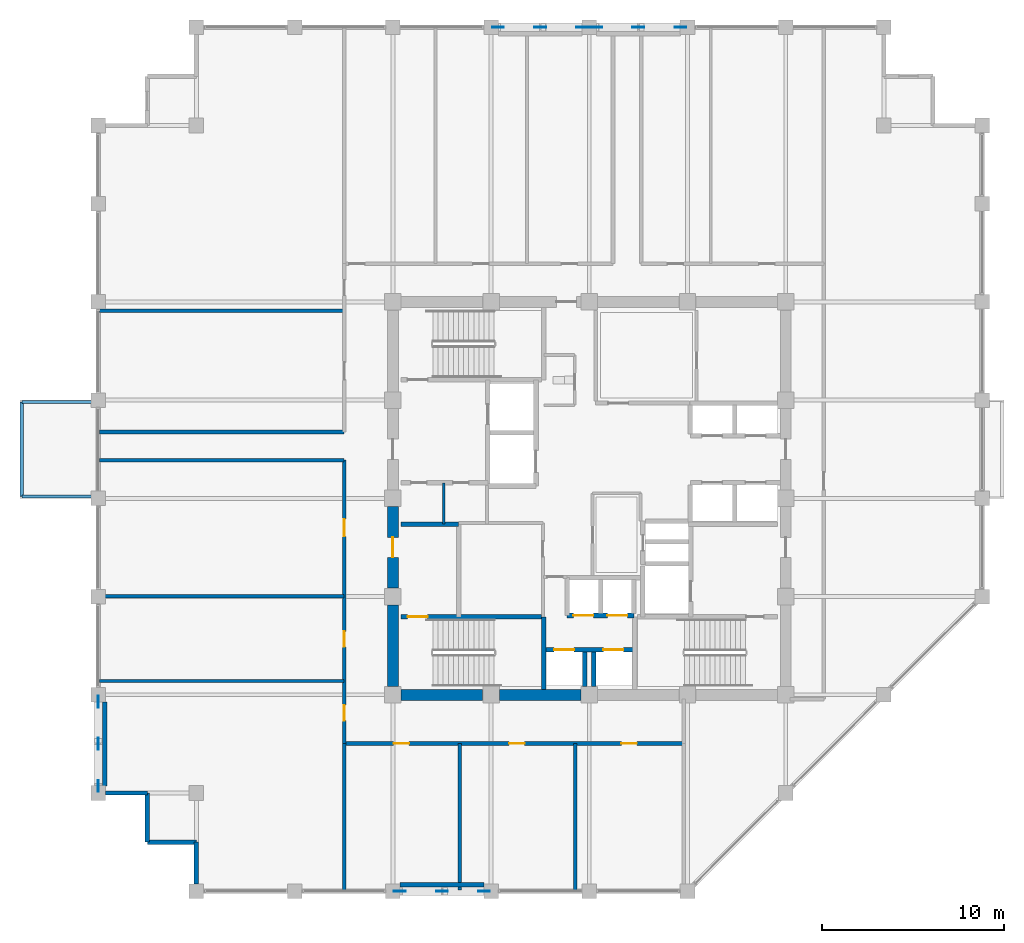
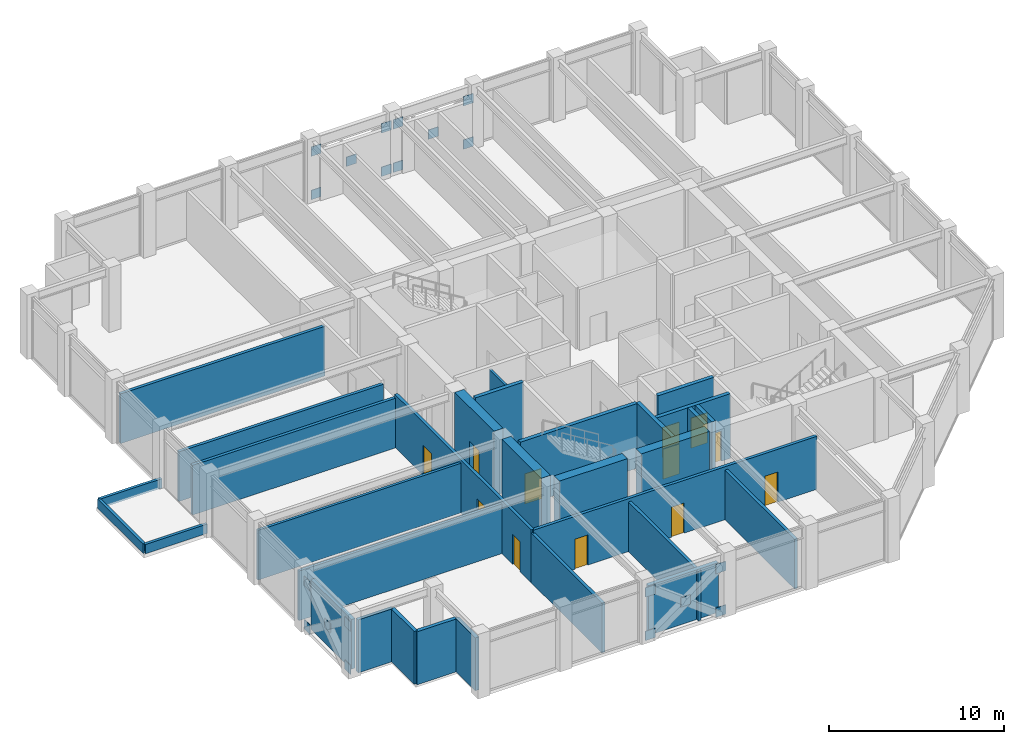
# One storey, part 23 of 28: 31 walls, 20 plates, 12 doors, 12 openings.
"""IFC4 building model written with IfcOpenShell, lengths in metres."""

from ifc_helpers import new_model, si_unit, direction, frame, frame_2d, origin, origin_2d, place, context, subcontext, project, spatial, rectangle, extrude, material, layer, layer_set, type_object, element, fill, save


model = new_model("IFC4")

# Units and contexts
model_context = context("Model", 3, precision=1e-05, world=origin(), true_north=direction((0.0, 1.0)))
body_context = subcontext(model_context, "Body", "Model", "MODEL_VIEW")
ifc_project = project(units=[si_unit("LENGTHUNIT", "METRE"), si_unit("AREAUNIT", "SQUARE_METRE"), si_unit("VOLUMEUNIT", "CUBIC_METRE"), si_unit("PLANEANGLEUNIT", "RADIAN"), si_unit("MASSUNIT", "GRAM", prefix="KILO")], contexts=[model_context])

# Site, building, storey
site_placement = place(None, origin())
site = spatial("IfcSite", under=ifc_project, at=site_placement, CompositionType="ELEMENT")
building_placement = place(site_placement, origin())
building = spatial("IfcBuilding", under=site, at=building_placement, Name="Surkhivell Harbour Commons", CompositionType="ELEMENT")
storey_placement = place(building_placement, frame((0.0, 0.0, 249.75)))
storey = spatial("IfcBuildingStorey", under=building, at=storey_placement, Name="L65", CompositionType="ELEMENT", Elevation=249.75)

# Plates
ifc_material_1 = material(Name="Steel S460", Category="steel")
ifc_layer_1 = layer(ifc_material_1, 0.044921875)
ifc_layer_set_1 = layer_set([ifc_layer_1], Name="Steel S460")
plate_type = type_object("IfcPlateType", Name="PLT-GUS-650", PredefinedType="USERDEFINED", material=ifc_layer_set_1)
for number, where, z_axis, x_axis, name in (
    (1, (-5.014892578125, 25.89990234375, -0.08935546875), (0.0, 0.0, 1.0), (1.0, 0.0, 0.0), "L65 Perimeter Mega-Brace MB- Corner Gusset N-1"),
    (2, (-0.385009765625, 25.89990234375, -0.08935546875), (0.0, 0.0, 1.0), (1.0, 0.0, 0.0), "L65 Perimeter Mega-Brace MB- Corner Gusset N-2"),
    (3, (-5.014892578125, 25.89990234375, 2.931640625), (0.0, 0.0, 1.0), (1.0, 0.0, 0.0), "L65 Perimeter Mega-Brace MB- Corner Gusset N-3"),
    (4, (-0.385009765625, 25.89990234375, 2.931640625), (0.0, 0.0, 1.0), (1.0, 0.0, 0.0), "L65 Perimeter Mega-Brace MB- Corner Gusset N-4"),
    (5, (-2.699951171875, 25.89990234375, 1.421142578125), (0.0, 0.0, 1.0), (1.0, 0.0, 0.0), "L65 Perimeter Mega-Brace MB- Central Crossing Gusset N"),
    (6, (0.385009765625, 25.89990234375, -0.08935546875), (0.0, 0.0, 1.0), (1.0, 0.0, 0.0), "L65 Perimeter Mega-Brace MB- Corner Gusset N2-1"),
    (7, (5.014892578125, 25.89990234375, -0.08935546875), (0.0, 0.0, 1.0), (1.0, 0.0, 0.0), "L65 Perimeter Mega-Brace MB- Corner Gusset N2-2"),
    (8, (0.385009765625, 25.89990234375, 2.931640625), (0.0, 0.0, 1.0), (1.0, 0.0, 0.0), "L65 Perimeter Mega-Brace MB- Corner Gusset N2-3"),
    (9, (5.014892578125, 25.89990234375, 2.931640625), (0.0, 0.0, 1.0), (1.0, 0.0, 0.0), "L65 Perimeter Mega-Brace MB- Corner Gusset N2-4"),
    (10, (2.699951171875, 25.89990234375, 1.421142578125), (0.0, 0.0, 1.0), (1.0, 0.0, 0.0), "L65 Perimeter Mega-Brace MB- Central Crossing Gusset N2"),
    (11, (-10.4150390625, -21.60009765625, -0.08935546875), (0.0, 0.0, 1.0), (1.0, 0.0, 0.0), "L65 Perimeter Mega-Brace MB- Corner Gusset S-1"),
    (12, (-5.784912109375, -21.60009765625, -0.08935546875), (0.0, 0.0, 1.0), (1.0, 0.0, 0.0), "L65 Perimeter Mega-Brace MB- Corner Gusset S-2"),
    (13, (-10.4150390625, -21.60009765625, 2.931640625), (0.0, 0.0, 1.0), (1.0, 0.0, 0.0), "L65 Perimeter Mega-Brace MB- Corner Gusset S-3"),
    (14, (-5.784912109375, -21.60009765625, 2.931640625), (0.0, 0.0, 1.0), (1.0, 0.0, 0.0), "L65 Perimeter Mega-Brace MB- Corner Gusset S-4"),
    (15, (-8.10009765625, -21.60009765625, 1.421142578125), (0.0, 0.0, 1.0), (1.0, 0.0, 0.0), "L65 Perimeter Mega-Brace MB- Central Crossing Gusset S"),
    (16, (-27.0, -15.81494140625, -0.08935546875), (0.0, 0.0, 1.0), (0.0, 1.0, 0.0), "L65 Perimeter Mega-Brace MB- Corner Gusset W-1"),
    (17, (-27.0, -11.18505859375, -0.08935546875), (0.0, 0.0, 1.0), (0.0, 1.0, 0.0), "L65 Perimeter Mega-Brace MB- Corner Gusset W-2"),
    (18, (-27.0, -15.81494140625, 2.931640625), (0.0, 0.0, 1.0), (0.0, 1.0, 0.0), "L65 Perimeter Mega-Brace MB- Corner Gusset W-3"),
    (19, (-27.0, -11.18505859375, 2.931640625), (0.0, 0.0, 1.0), (0.0, 1.0, 0.0), "L65 Perimeter Mega-Brace MB- Corner Gusset W-4"),
    (20, (-27.0, -13.5, 1.421142578125), (0.0, 0.0, 1.0), (0.0, 1.0, 0.0), "L65 Perimeter Mega-Brace MB- Central Crossing Gusset W"),
):
    element("IfcPlate", number, at=place(storey_placement, frame(where, z_axis=z_axis, x_axis=x_axis)), inside=storey, type_object=plate_type, Name=name, ObjectType="GUSSET_PLATE", PredefinedType="USERDEFINED", context=body_context, shape_type="SweptSolid", body=[
        extrude(rectangle(XDim=0.64990234375, YDim=0.044921875, at=origin_2d()), origin(), (0.0, 0.0, 1.0), 0.64990234375),
    ])

# Walls
ifc_material_2 = material(Name="Concrete C60/75", Category="concrete")
ifc_layer_2 = layer(ifc_material_2, 0.60009765625)
ifc_layer_set_2 = layer_set([ifc_layer_2], Name="Concrete C60/75")
wall_type_1 = type_object("IfcWallType", Name="WAL-CORE-600", PredefinedType="SHEAR", material=ifc_layer_set_2)
for number, where, z_axis, x_axis, name in (
    (21, (-10.340087890625, -10.800048828125, 0.0), (0.0, 0.0, 1.0), (1.0, 0.0, 0.0), "L65 Core Shear Wall South 1"),
    (22, (-10.800048828125, -10.340087890625, 0.0), (0.0, 0.0, 1.0), (0.0, 1.0, 0.0), "L65 Core Shear Wall West 1"),
    (23, (-4.93994140625, -10.800048828125, 0.0), (0.0, 0.0, 1.0), (1.0, 0.0, 0.0), "L65 Core Shear Wall South 2"),
):
    element("IfcWall", number, at=place(storey_placement, frame(where, z_axis=z_axis, x_axis=x_axis)), inside=storey, type_object=wall_type_1, Name=name, PredefinedType="SHEAR", context=body_context, shape_type="SweptSolid", body=[
        extrude(rectangle(XDim=4.47998046875, YDim=0.60009765625, at=frame_2d((2.239990234375, 0.0))), origin(), (0.0, 0.0, 1.0), 4.5),
    ])

# Wall, opening, door
wall_1_placement = place(storey_placement, frame((-10.800048828125, -4.93994140625, 0.0), z_axis=(0.0, 0.0, 1.0), x_axis=(0.0, 1.0, 0.0)))
wall_1 = element("IfcWall", 24, at=wall_1_placement, inside=storey, type_object=wall_type_1, Name="L65 Core Shear Wall West 2", PredefinedType="SHEAR", context=body_context, shape_type="SweptSolid", body=[
    extrude(rectangle(XDim=4.47998046875, YDim=0.60009765625, at=frame_2d((2.239990234375, 0.0))), origin(), (0.0, 0.0, 1.0), 4.5),
])
opening_1_placement = place(wall_1_placement, frame((1.68994140625, 0.0, 0.0)))
opening_1 = element("IfcOpeningElement", 25, at=opening_1_placement, cuts=wall_1, Name="Opening ID-2", PredefinedType="OPENING", context=body_context, shape_type="SweptSolid", body=[
    extrude(rectangle(XDim=1.10009765625, YDim=2.10009765625, at=frame_2d((0.550048828125, 1.050048828125))), frame((0.0, 0.31005859375, 0.0), z_axis=(0.0, -1.0, 0.0), x_axis=(1.0, 0.0, 0.0)), (0.0, 0.0, 1.0), 0.6201171875),
])
ifc_material_3 = material(Name="Hardwood-veneered fire-rated door leaf", Category="wood")
door_type_1 = type_object("IfcDoorType", Name="DOR-FD60-1100", OperationType="NOTDEFINED", PredefinedType="DOOR", material=ifc_material_3)
door_1_placement = place(opening_1_placement, origin())
door_1 = element("IfcDoor", 26, at=door_1_placement, inside=storey, type_object=door_type_1, Name="L65 Stair 3 Lobby Corridor Door", OperationType="SINGLE_SWING_LEFT", OverallHeight=2.10009765625, OverallWidth=1.10009765625, PredefinedType="DOOR", context=body_context, shape_type="SweptSolid", body=[
    extrude(rectangle(XDim=1.10009765625, YDim=2.10009765625, at=frame_2d((0.550048828125, 1.050048828125))), frame((0.0, 0.02490234375, 0.0), z_axis=(0.0, -1.0, 0.0), x_axis=(1.0, 0.0, 0.0)), (0.0, 0.0, 1.0), 0.050048828125),
])
fill(opening_1, door_1)

# Walls
ifc_material_4 = material(Name="Pale-metal insulated precast concrete C45/55", Category="concrete")
ifc_layer_3 = layer(ifc_material_4, 0.260009765625)
ifc_layer_set_3 = layer_set([ifc_layer_3], Name="Pale-metal insulated precast concrete C45/55")
wall_type_2 = type_object("IfcWallType", Name="WAL-EXT-MTL260", PredefinedType="STANDARD", material=ifc_layer_set_3)
for number, where, z_axis, x_axis, name in (
    (27, (-10.402099609375, -21.239990234375, 0.0), (0.0, 0.0, 1.0), (1.0, 0.0, 0.0), "L65 Braced-Bay Insulated Spandrel Backing S"),
    (28, (-26.639892578125, -11.197998046875, 0.0), (0.0, 0.0, 1.0), (0.0, -1.0, 0.0), "L65 Braced-Bay Insulated Spandrel Backing W"),
):
    element("IfcWall", number, at=place(storey_placement, frame(where, z_axis=z_axis, x_axis=x_axis)), inside=storey, type_object=wall_type_2, Name=name, PredefinedType="STANDARD", context=body_context, shape_type="SweptSolid", body=[
        extrude(rectangle(XDim=4.60400390625, YDim=0.260009765625, at=frame_2d((2.302001953125, 0.0))), origin(), (0.0, 0.0, 1.0), 3.4599609375),
    ])
ifc_material_5 = material(Name="Bronze-ochre cassette precast concrete C45/55", Category="concrete")
ifc_layer_4 = layer(ifc_material_5, 0.239990234375)
ifc_layer_set_4 = layer_set([ifc_layer_4], Name="Bronze-ochre cassette precast concrete C45/55")
wall_type_3 = type_object("IfcWallType", Name="WAL-EXT-OCH240", PredefinedType="STANDARD", material=ifc_layer_set_4)
wall_2_placement = place(storey_placement, frame((-26.60205078125, -16.199951171875, 0.0), z_axis=(0.0, 0.0, 1.0), x_axis=(1.0, 0.0, 0.0)))
element("IfcWall", 29, at=wall_2_placement, inside=storey, type_object=wall_type_3, Name="L65 Serrated Corner Facade Wall 13", PredefinedType="STANDARD", context=body_context, shape_type="SweptSolid", body=[
    extrude(rectangle(XDim=2.302001953125, YDim=0.239990234375, at=frame_2d((1.15087890625, 0.0))), origin(), (0.0, 0.0, 1.0), 3.68603515625),
])
for number, where, z_axis, x_axis, name in (
    (30, (-24.300048828125, -16.199951171875, 0.0), (0.0, 0.0, 1.0), (0.0, -1.0, 0.0), "L65 Serrated Corner Facade Wall 14"),
    (31, (-24.300048828125, -18.89990234375, 0.0), (0.0, 0.0, 1.0), (1.0, 0.0, 0.0), "L65 Serrated Corner Facade Wall 15"),
):
    element("IfcWall", number, at=place(storey_placement, frame(where, z_axis=z_axis, x_axis=x_axis)), inside=storey, type_object=wall_type_3, Name=name, PredefinedType="STANDARD", context=body_context, shape_type="SweptSolid", body=[
        extrude(rectangle(XDim=2.699951171875, YDim=0.239990234375, at=frame_2d((1.35009765625, 0.0))), origin(), (0.0, 0.0, 1.0), 3.68603515625),
    ])
wall_3_placement = place(storey_placement, frame((-21.60009765625, -18.89990234375, 0.0), z_axis=(0.0, 0.0, 1.0), x_axis=(0.0, -1.0, 0.0)))
element("IfcWall", 32, at=wall_3_placement, inside=storey, type_object=wall_type_3, Name="L65 Serrated Corner Facade Wall 16", PredefinedType="STANDARD", context=body_context, shape_type="SweptSolid", body=[
    extrude(rectangle(XDim=2.302001953125, YDim=0.239990234375, at=frame_2d((1.15087890625, 0.0))), origin(), (0.0, 0.0, 1.0), 3.68603515625),
])
ifc_material_6 = material(Name="Twin-stud acoustic fireboard partition", Category="other")
ifc_layer_5 = layer(ifc_material_6, 0.14990234375)
ifc_layer_set_5 = layer_set([ifc_layer_5], Name="Twin-stud acoustic fireboard partition")
wall_type_4 = type_object("IfcWallType", Name="WAL-INT-150", PredefinedType="PARTITIONING", material=ifc_layer_set_5)
wall_4_placement = place(storey_placement, frame((-8.0, -1.419921875, 0.0), z_axis=(0.0, 0.0, 1.0), x_axis=(0.0, 1.0, 0.0)))
element("IfcWall", 33, at=wall_4_placement, inside=storey, type_object=wall_type_4, Name="L65 West Core Cut D1", PredefinedType="PARTITIONING", context=body_context, shape_type="SweptSolid", body=[
    extrude(rectangle(XDim=2.27001953125, YDim=0.14990234375, at=frame_2d((1.135009765625, 0.0))), origin(), (0.0, 0.0, 1.0), 4.25),
])
ifc_material_7 = material(Name="High-density acoustic blockwork fire partition", Category="masonry")
ifc_layer_6 = layer(ifc_material_7, 0.175048828125)
ifc_layer_set_6 = layer_set([ifc_layer_6], Name="High-density acoustic blockwork fire partition")
wall_type_5 = type_object("IfcWallType", Name="WAL-INT-175", PredefinedType="PARTITIONING", material=ifc_layer_set_6)
for number, where, z_axis, x_axis, name in (
    (34, (-26.93994140625, -10.050048828125, 0.0), (0.0, 0.0, 1.0), (1.0, 0.0, 0.0), "L65 South-West Partition P1"),
    (35, (-26.93994140625, -5.3798828125, 0.0), (0.0, 0.0, 1.0), (1.0, 0.0, 0.0), "L65 South-West Partition P2"),
):
    element("IfcWall", number, at=place(storey_placement, frame(where, z_axis=z_axis, x_axis=x_axis)), inside=storey, type_object=wall_type_5, Name=name, PredefinedType="PARTITIONING", context=body_context, shape_type="SweptSolid", body=[
        extrude(rectangle(XDim=13.4599609375, YDim=0.175048828125, at=frame_2d((6.72998046875, 0.0))), origin(), (0.0, 0.0, 1.0), 3.4599609375),
    ])
ifc_material_8 = material(Name="Autoclaved aerated concrete blockwork and fire plaster", Category="masonry")
ifc_layer_7 = layer(ifc_material_8, 0.199951171875)
ifc_layer_set_7 = layer_set([ifc_layer_7], Name="Autoclaved aerated concrete blockwork and fire plaster")
wall_type_6 = type_object("IfcWallType", Name="WAL-INT-200", PredefinedType="PARTITIONING", material=ifc_layer_set_7)
wall_5_placement = place(storey_placement, frame((-13.47998046875, -21.5400390625, 0.0), z_axis=(0.0, 0.0, 1.0), x_axis=(0.0, 1.0, 0.0)))
element("IfcWall", 36, at=wall_5_placement, inside=storey, type_object=wall_type_6, Name="L65 South-West Corner Wall", PredefinedType="PARTITIONING", context=body_context, shape_type="SweptSolid", body=[
    extrude(rectangle(XDim=8.06005859375, YDim=0.199951171875, at=frame_2d((4.030029296875, 0.0))), origin(), (0.0, 0.0, 1.0), 3.4599609375),
])

# Wall, openings, doors
wall_6_placement = place(storey_placement, frame((-13.47998046875, -13.47998046875, 0.0), z_axis=(0.0, 0.0, 1.0), x_axis=(1.0, 0.0, 0.0)))
wall_6 = element("IfcWall", 37, at=wall_6_placement, inside=storey, type_object=wall_type_6, Name="L65 Corridor South Wall", PredefinedType="PARTITIONING", context=body_context, shape_type="SweptSolid", body=[
    extrude(rectangle(XDim=18.679931640625, YDim=0.199951171875, at=frame_2d((9.33984375, 0.0))), origin(), (0.0, 0.0, 1.0), 3.68603515625),
])
opening_2_placement = place(wall_6_placement, frame((2.72509765625, 0.0, 0.0)))
opening_2 = element("IfcOpeningElement", 38, at=opening_2_placement, cuts=wall_6, Name="Opening ID-6", PredefinedType="OPENING", context=body_context, shape_type="SweptSolid", body=[
    extrude(rectangle(XDim=0.85009765625, YDim=2.10009765625, at=frame_2d((0.425048828125, 1.050048828125))), frame((0.0, 0.10986328125, 0.0), z_axis=(0.0, -1.0, 0.0), x_axis=(1.0, 0.0, 0.0)), (0.0, 0.0, 1.0), 0.219970703125),
])
opening_3_placement = place(wall_6_placement, frame((9.074951171875, 0.0, 0.0)))
opening_3 = element("IfcOpeningElement", 39, at=opening_3_placement, cuts=wall_6, Name="Opening ID-6", PredefinedType="OPENING", context=body_context, shape_type="SweptSolid", body=[
    extrude(rectangle(XDim=0.85009765625, YDim=2.10009765625, at=frame_2d((0.425048828125, 1.050048828125))), frame((0.0, 0.10986328125, 0.0), z_axis=(0.0, -1.0, 0.0), x_axis=(1.0, 0.0, 0.0)), (0.0, 0.0, 1.0), 0.219970703125),
])
opening_4_placement = place(wall_6_placement, frame((15.239990234375, 0.0, 0.0)))
opening_4 = element("IfcOpeningElement", 40, at=opening_4_placement, cuts=wall_6, Name="Opening ID-6", PredefinedType="OPENING", context=body_context, shape_type="SweptSolid", body=[
    extrude(rectangle(XDim=0.85009765625, YDim=2.10009765625, at=frame_2d((0.425048828125, 1.050048828125))), frame((0.0, 0.10986328125, 0.0), z_axis=(0.0, -1.0, 0.0), x_axis=(1.0, 0.0, 0.0)), (0.0, 0.0, 1.0), 0.219970703125),
])
door_type_2 = type_object("IfcDoorType", Name="DOR-FD30-850", OperationType="NOTDEFINED", PredefinedType="DOOR", material=ifc_material_3)
door_2_placement = place(opening_2_placement, origin())
door_2 = element("IfcDoor", 41, at=door_2_placement, inside=storey, type_object=door_type_2, Name="L65 Academic Seminar Room 1 South Door", OperationType="SINGLE_SWING_RIGHT", OverallHeight=2.10009765625, OverallWidth=0.85009765625, PredefinedType="DOOR", context=body_context, shape_type="SweptSolid", body=[
    extrude(rectangle(XDim=0.85009765625, YDim=2.10009765625, at=frame_2d((0.425048828125, 1.050048828125))), frame((0.0, 0.02490234375, 0.0), z_axis=(0.0, -1.0, 0.0), x_axis=(1.0, 0.0, 0.0)), (0.0, 0.0, 1.0), 0.050048828125),
])
fill(opening_2, door_2)
door_3_placement = place(opening_3_placement, origin())
door_3 = element("IfcDoor", 42, at=door_3_placement, inside=storey, type_object=door_type_2, Name="L65 Academic Seminar Room 2 South Door", OperationType="SINGLE_SWING_LEFT", OverallHeight=2.10009765625, OverallWidth=0.85009765625, PredefinedType="DOOR", context=body_context, shape_type="SweptSolid", body=[
    extrude(rectangle(XDim=0.85009765625, YDim=2.10009765625, at=frame_2d((0.425048828125, 1.050048828125))), frame((0.0, 0.02490234375, 0.0), z_axis=(0.0, -1.0, 0.0), x_axis=(1.0, 0.0, 0.0)), (0.0, 0.0, 1.0), 0.050048828125),
])
fill(opening_3, door_3)
door_4_placement = place(opening_4_placement, origin())
door_4 = element("IfcDoor", 43, at=door_4_placement, inside=storey, type_object=door_type_2, Name="L65 Academic Seminar Room 3 South Door", OperationType="SINGLE_SWING_RIGHT", OverallHeight=2.10009765625, OverallWidth=0.85009765625, PredefinedType="DOOR", context=body_context, shape_type="SweptSolid", body=[
    extrude(rectangle(XDim=0.85009765625, YDim=2.10009765625, at=frame_2d((0.425048828125, 1.050048828125))), frame((0.0, 0.02490234375, 0.0), z_axis=(0.0, -1.0, 0.0), x_axis=(1.0, 0.0, 0.0)), (0.0, 0.0, 1.0), 0.050048828125),
])
fill(opening_4, door_4)

# Walls
for number, where, z_axis, x_axis, name in (
    (44, (-26.93994140625, 3.64990234375, 0.0), (0.0, 0.0, 1.0), (1.0, 0.0, 0.0), "L65 West Spur North Wall"),
    (45, (-26.93994140625, 2.10009765625, 0.0), (0.0, 0.0, 1.0), (1.0, 0.0, 0.0), "L65 West Spur South Wall"),
):
    element("IfcWall", number, at=place(storey_placement, frame(where, z_axis=z_axis, x_axis=x_axis)), inside=storey, type_object=wall_type_6, Name=name, PredefinedType="PARTITIONING", context=body_context, shape_type="SweptSolid", body=[
        extrude(rectangle(XDim=13.4599609375, YDim=0.199951171875, at=frame_2d((6.72998046875, 0.0))), origin(), (0.0, 0.0, 1.0), 3.4599609375),
    ])

# Wall, openings, doors
wall_7_placement = place(storey_placement, frame((-13.47998046875, -13.47998046875, 0.0), z_axis=(0.0, 0.0, 1.0), x_axis=(0.0, 1.0, 0.0)))
wall_7 = element("IfcWall", 46, at=wall_7_placement, inside=storey, type_object=wall_type_6, Name="L65 Corridor West-Lower Wall", PredefinedType="PARTITIONING", context=body_context, shape_type="SweptSolid", body=[
    extrude(rectangle(XDim=15.580078125, YDim=0.199951171875, at=frame_2d((7.7900390625, 0.0))), origin(), (0.0, 0.0, 1.0), 3.68603515625),
])
opening_5_placement = place(wall_7_placement, frame((1.264892578125, 0.0, 0.0)))
opening_5 = element("IfcOpeningElement", 47, at=opening_5_placement, cuts=wall_7, Name="Opening ID-6", PredefinedType="OPENING", context=body_context, shape_type="SweptSolid", body=[
    extrude(rectangle(XDim=0.85009765625, YDim=2.10009765625, at=frame_2d((0.425048828125, 1.050048828125))), frame((0.0, 0.10986328125, 0.0), z_axis=(0.0, -1.0, 0.0), x_axis=(1.0, 0.0, 0.0)), (0.0, 0.0, 1.0), 0.219970703125),
])
opening_6_placement = place(wall_7_placement, frame((5.31494140625, 0.0, 0.0)))
opening_6 = element("IfcOpeningElement", 48, at=opening_6_placement, cuts=wall_7, Name="Opening ID-6", PredefinedType="OPENING", context=body_context, shape_type="SweptSolid", body=[
    extrude(rectangle(XDim=0.85009765625, YDim=2.10009765625, at=frame_2d((0.425048828125, 1.050048828125))), frame((0.0, 0.10986328125, 0.0), z_axis=(0.0, -1.0, 0.0), x_axis=(1.0, 0.0, 0.0)), (0.0, 0.0, 1.0), 0.219970703125),
])
opening_7_placement = place(wall_7_placement, frame((11.389892578125, 0.0, 0.0)))
opening_7 = element("IfcOpeningElement", 49, at=opening_7_placement, cuts=wall_7, Name="Opening ID-4", PredefinedType="OPENING", context=body_context, shape_type="SweptSolid", body=[
    extrude(rectangle(XDim=0.949951171875, YDim=2.10009765625, at=frame_2d((0.47509765625, 1.050048828125))), frame((0.0, 0.10986328125, 0.0), z_axis=(0.0, -1.0, 0.0), x_axis=(1.0, 0.0, 0.0)), (0.0, 0.0, 1.0), 0.219970703125),
])
door_5_placement = place(opening_5_placement, origin())
door_5 = element("IfcDoor", 50, at=door_5_placement, inside=storey, type_object=door_type_2, Name="L65 Co-Working Study Office 1 South-West Door", OperationType="SINGLE_SWING_LEFT", OverallHeight=2.10009765625, OverallWidth=0.85009765625, PredefinedType="DOOR", context=body_context, shape_type="SweptSolid", body=[
    extrude(rectangle(XDim=0.85009765625, YDim=2.10009765625, at=frame_2d((0.425048828125, 1.050048828125))), frame((0.0, 0.02490234375, 0.0), z_axis=(0.0, -1.0, 0.0), x_axis=(1.0, 0.0, 0.0)), (0.0, 0.0, 1.0), 0.050048828125),
])
fill(opening_5, door_5)
door_6_placement = place(opening_6_placement, origin())
door_6 = element("IfcDoor", 51, at=door_6_placement, inside=storey, type_object=door_type_2, Name="L65 Co-Working Study Office 2 South-West Door", OperationType="SINGLE_SWING_RIGHT", OverallHeight=2.10009765625, OverallWidth=0.85009765625, PredefinedType="DOOR", context=body_context, shape_type="SweptSolid", body=[
    extrude(rectangle(XDim=0.85009765625, YDim=2.10009765625, at=frame_2d((0.425048828125, 1.050048828125))), frame((0.0, 0.02490234375, 0.0), z_axis=(0.0, -1.0, 0.0), x_axis=(1.0, 0.0, 0.0)), (0.0, 0.0, 1.0), 0.050048828125),
])
fill(opening_6, door_6)
door_type_3 = type_object("IfcDoorType", Name="DOR-FD60-950", OperationType="NOTDEFINED", PredefinedType="DOOR", material=ifc_material_3)
door_7_placement = place(opening_7_placement, origin())
door_7 = element("IfcDoor", 52, at=door_7_placement, inside=storey, type_object=door_type_3, Name="L65 Co-Working Study Office 3 South-West Door", OperationType="SINGLE_SWING_LEFT", OverallHeight=2.10009765625, OverallWidth=0.949951171875, PredefinedType="DOOR", context=body_context, shape_type="SweptSolid", body=[
    extrude(rectangle(XDim=0.949951171875, YDim=2.10009765625, at=frame_2d((0.47509765625, 1.050048828125))), frame((0.0, 0.02490234375, 0.0), z_axis=(0.0, -1.0, 0.0), x_axis=(1.0, 0.0, 0.0)), (0.0, 0.0, 1.0), 0.050048828125),
])
fill(opening_7, door_7)

# Walls
for number, where, z_axis, x_axis, name in (
    (53, (-7.1298828125, -21.5400390625, 0.0), (0.0, 0.0, 1.0), (0.0, 1.0, 0.0), "L65 South Partition P1"),
    (54, (-0.780029296875, -21.5400390625, 0.0), (0.0, 0.0, 1.0), (0.0, 1.0, 0.0), "L65 South Partition P2"),
):
    element("IfcWall", number, at=place(storey_placement, frame(where, z_axis=z_axis, x_axis=x_axis)), inside=storey, type_object=wall_type_6, Name=name, PredefinedType="PARTITIONING", context=body_context, shape_type="SweptSolid", body=[
        extrude(rectangle(XDim=8.06005859375, YDim=0.199951171875, at=frame_2d((4.030029296875, 0.0))), origin(), (0.0, 0.0, 1.0), 3.4599609375),
    ])
wall_8_placement = place(storey_placement, frame((-26.93994140625, 10.31005859375, 0.0), z_axis=(0.0, 0.0, 1.0), x_axis=(1.0, 0.0, 0.0)))
element("IfcWall", 55, at=wall_8_placement, inside=storey, type_object=wall_type_6, Name="L65 North-West Partition P1", PredefinedType="PARTITIONING", context=body_context, shape_type="SweptSolid", body=[
    extrude(rectangle(XDim=13.4599609375, YDim=0.199951171875, at=frame_2d((6.72998046875, 0.0))), origin(), (0.0, 0.0, 1.0), 3.4599609375),
])
ifc_material_9 = material(Name="Anodised aluminium and precast concrete C40/50", Category="concrete")
ifc_layer_8 = layer(ifc_material_9, 0.18505859375)
ifc_layer_set_8 = layer_set([ifc_layer_8], Name="Anodised aluminium and precast concrete C40/50")
wall_type_7 = type_object("IfcWallType", Name="WAL-PAR-185", PredefinedType="PARAPET", material=ifc_layer_set_8)
wall_9_placement = place(storey_placement, frame((-27.1201171875, 5.300048828125, 0.0), z_axis=(0.0, 0.0, 1.0), x_axis=(-1.0, 0.0, 0.0)))
element("IfcWall", 56, at=wall_9_placement, inside=storey, type_object=wall_type_7, Name="L65 Box Roof Coping Parapet 2-1", PredefinedType="PARAPET", context=body_context, shape_type="SweptSolid", body=[
    extrude(rectangle(XDim=4.079833984375, YDim=0.18505859375, at=frame_2d((2.0400390625, 0.0))), origin(), (0.0, 0.0, 1.0), 0.64990234375),
])
wall_10_placement = place(storey_placement, frame((-31.199951171875, 5.300048828125, 0.0), z_axis=(0.0, 0.0, 1.0), x_axis=(0.0, -1.0, 0.0)))
element("IfcWall", 57, at=wall_10_placement, inside=storey, type_object=wall_type_7, Name="L65 Box Roof Coping Parapet 2-2", PredefinedType="PARAPET", context=body_context, shape_type="SweptSolid", body=[
    extrude(rectangle(XDim=5.199951171875, YDim=0.18505859375, at=frame_2d((2.60009765625, 0.0))), origin(), (0.0, 0.0, 1.0), 0.64990234375),
])
wall_11_placement = place(storey_placement, frame((-31.199951171875, 0.10009765625, 0.0), z_axis=(0.0, 0.0, 1.0), x_axis=(1.0, 0.0, 0.0)))
element("IfcWall", 58, at=wall_11_placement, inside=storey, type_object=wall_type_7, Name="L65 Box Roof Coping Parapet 2-3", PredefinedType="PARAPET", context=body_context, shape_type="SweptSolid", body=[
    extrude(rectangle(XDim=4.079833984375, YDim=0.18505859375, at=frame_2d((2.0400390625, 0.0))), origin(), (0.0, 0.0, 1.0), 0.64990234375),
])
ifc_material_10 = material(Name="Concrete C50/60", Category="concrete")
ifc_layer_9 = layer(ifc_material_10, 0.25)
ifc_layer_set_9 = layer_set([ifc_layer_9], Name="Concrete C50/60")
wall_type_8 = type_object("IfcWallType", Name="WAL-SHAFT-250", PredefinedType="SHEAR", material=ifc_layer_set_9)
for number, where, z_axis, x_axis, name in (
    (59, (-0.25, -10.35009765625, 0.0), (0.0, 0.0, 1.0), (0.0, 1.0, 0.0), "L65 High-Rise Side Wall S"),
    (60, (0.25, -10.35009765625, 0.0), (0.0, 0.0, 1.0), (0.0, 1.0, 0.0), "L65 High-Rise Side Wall S"),
):
    element("IfcWall", number, at=place(storey_placement, frame(where, z_axis=z_axis, x_axis=x_axis)), inside=storey, type_object=wall_type_8, Name=name, PredefinedType="SHEAR", context=body_context, shape_type="SweptSolid", body=[
        extrude(rectangle(XDim=1.91015625, YDim=0.25, at=frame_2d((0.955078125, 0.0))), origin(), (0.0, 0.0, 1.0), 4.5),
    ])

# Wall, openings, doors
wall_12_placement = place(storey_placement, frame((-1.219970703125, -6.43994140625, 0.0), z_axis=(0.0, 0.0, 1.0), x_axis=(1.0, 0.0, 0.0)))
wall_12 = element("IfcWall", 61, at=wall_12_placement, inside=storey, type_object=wall_type_8, Name="L65 High-Rise North Front Shaft Wall", PredefinedType="SHEAR", context=body_context, shape_type="SweptSolid", body=[
    extrude(rectangle(XDim=3.669921875, YDim=0.25, at=frame_2d((1.8349609375, 0.0))), origin(), (0.0, 0.0, 1.0), 4.5),
])
opening_8_placement = place(wall_12_placement, frame((0.35009765625, 0.0, 0.0)))
opening_8 = element("IfcOpeningElement", 62, at=opening_8_placement, cuts=wall_12, Name="Opening LD-1", PredefinedType="OPENING", context=body_context, shape_type="SweptSolid", body=[
    extrude(rectangle(XDim=1.10009765625, YDim=2.10009765625, at=frame_2d((0.550048828125, 1.050048828125))), frame((0.0, 0.135009765625, 0.0), z_axis=(0.0, -1.0, 0.0), x_axis=(1.0, 0.0, 0.0)), (0.0, 0.0, 1.0), 0.27001953125),
])
opening_9_placement = place(wall_12_placement, frame((2.219970703125, 0.0, 0.0)))
opening_9 = element("IfcOpeningElement", 63, at=opening_9_placement, cuts=wall_12, Name="Opening LD-1", PredefinedType="OPENING", context=body_context, shape_type="SweptSolid", body=[
    extrude(rectangle(XDim=1.10009765625, YDim=2.10009765625, at=frame_2d((0.550048828125, 1.050048828125))), frame((0.0, 0.135009765625, 0.0), z_axis=(0.0, -1.0, 0.0), x_axis=(1.0, 0.0, 0.0)), (0.0, 0.0, 1.0), 0.27001953125),
])
ifc_material_11 = material(Name="Brushed stainless steel S355", Category="steel")
door_type_4 = type_object("IfcDoorType", Name="DOR-LD-1100", OperationType="SLIDING_TO_LEFT", PredefinedType="DOOR", material=ifc_material_11)
door_8_placement = place(opening_8_placement, origin())
door_8 = element("IfcDoor", 64, at=door_8_placement, inside=storey, type_object=door_type_4, Name="L65 Lift Landing Door LD-PH1", OperationType="SLIDING_TO_LEFT", OverallHeight=2.10009765625, OverallWidth=1.10009765625, PredefinedType="DOOR", context=body_context, shape_type="SweptSolid", body=[
    extrude(rectangle(XDim=1.10009765625, YDim=2.10009765625, at=frame_2d((0.550048828125, 1.050048828125))), frame((0.0, 0.02490234375, 0.0), z_axis=(0.0, -1.0, 0.0), x_axis=(1.0, 0.0, 0.0)), (0.0, 0.0, 1.0), 0.050048828125),
])
fill(opening_8, door_8)
door_9_placement = place(opening_9_placement, origin())
door_9 = element("IfcDoor", 65, at=door_9_placement, inside=storey, type_object=door_type_4, Name="L65 Lift Landing Door LD-PH2", OperationType="SLIDING_TO_LEFT", OverallHeight=2.10009765625, OverallWidth=1.10009765625, PredefinedType="DOOR", context=body_context, shape_type="SweptSolid", body=[
    extrude(rectangle(XDim=1.10009765625, YDim=2.10009765625, at=frame_2d((0.550048828125, 1.050048828125))), frame((0.0, 0.02490234375, 0.0), z_axis=(0.0, -1.0, 0.0), x_axis=(1.0, 0.0, 0.0)), (0.0, 0.0, 1.0), 0.050048828125),
])
fill(opening_9, door_9)

wall_13_placement = place(storey_placement, frame((-2.47998046875, -8.320068359375, 0.0), z_axis=(0.0, 0.0, 1.0), x_axis=(1.0, 0.0, 0.0)))
wall_13 = element("IfcWall", 66, at=wall_13_placement, inside=storey, type_object=wall_type_8, Name="L65 High-Rise South Front Shaft Wall", PredefinedType="SHEAR", context=body_context, shape_type="SweptSolid", body=[
    extrude(rectangle(XDim=4.929931640625, YDim=0.25, at=frame_2d((2.46484375, 0.0))), origin(), (0.0, 0.0, 1.0), 4.5),
])
opening_10_placement = place(wall_13_placement, frame((0.550048828125, 0.0, 0.0)))
opening_10 = element("IfcOpeningElement", 67, at=opening_10_placement, cuts=wall_13, Name="Opening LD-1", PredefinedType="OPENING", context=body_context, shape_type="SweptSolid", body=[
    extrude(rectangle(XDim=1.10009765625, YDim=2.10009765625, at=frame_2d((0.550048828125, 1.050048828125))), frame((0.0, 0.135009765625, 0.0), z_axis=(0.0, -1.0, 0.0), x_axis=(1.0, 0.0, 0.0)), (0.0, 0.0, 1.0), 0.27001953125),
])
opening_11_placement = place(wall_13_placement, frame((3.25, 0.0, 0.0)))
opening_11 = element("IfcOpeningElement", 68, at=opening_11_placement, cuts=wall_13, Name="Opening LD-1", PredefinedType="OPENING", context=body_context, shape_type="SweptSolid", body=[
    extrude(rectangle(XDim=1.10009765625, YDim=2.10009765625, at=frame_2d((0.550048828125, 1.050048828125))), frame((0.0, 0.135009765625, 0.0), z_axis=(0.0, -1.0, 0.0), x_axis=(1.0, 0.0, 0.0)), (0.0, 0.0, 1.0), 0.27001953125),
])
door_10_placement = place(opening_10_placement, origin())
door_10 = element("IfcDoor", 69, at=door_10_placement, inside=storey, type_object=door_type_4, Name="L65 Lift Landing Door LD-PH3", OperationType="SLIDING_TO_LEFT", OverallHeight=2.10009765625, OverallWidth=1.10009765625, PredefinedType="DOOR", context=body_context, shape_type="SweptSolid", body=[
    extrude(rectangle(XDim=1.10009765625, YDim=2.10009765625, at=frame_2d((0.550048828125, 1.050048828125))), frame((0.0, 0.02490234375, 0.0), z_axis=(0.0, -1.0, 0.0), x_axis=(1.0, 0.0, 0.0)), (0.0, 0.0, 1.0), 0.050048828125),
])
fill(opening_10, door_10)
door_11_placement = place(opening_11_placement, origin())
door_11 = element("IfcDoor", 70, at=door_11_placement, inside=storey, type_object=door_type_4, Name="L65 Lift Landing Door LD-PH4", OperationType="SLIDING_TO_LEFT", OverallHeight=2.10009765625, OverallWidth=1.10009765625, PredefinedType="DOOR", context=body_context, shape_type="SweptSolid", body=[
    extrude(rectangle(XDim=1.10009765625, YDim=2.10009765625, at=frame_2d((0.550048828125, 1.050048828125))), frame((0.0, 0.02490234375, 0.0), z_axis=(0.0, -1.0, 0.0), x_axis=(1.0, 0.0, 0.0)), (0.0, 0.0, 1.0), 0.050048828125),
])
fill(opening_11, door_11)

# Walls
wall_14_placement = place(storey_placement, frame((-2.510009765625, -10.5, 0.0), z_axis=(0.0, 0.0, 1.0), x_axis=(0.0, 1.0, 0.0)))
element("IfcWall", 71, at=wall_14_placement, inside=storey, type_object=wall_type_8, Name="L65 Stair ST3 East Shear Wall", PredefinedType="SHEAR", context=body_context, shape_type="SweptSolid", body=[
    extrude(rectangle(XDim=3.989990234375, YDim=0.25, at=frame_2d((1.9951171875, 0.0))), origin(), (0.0, 0.0, 1.0), 4.5),
])
wall_15_placement = place(storey_placement, frame((-10.340087890625, -1.419921875, 0.0), z_axis=(0.0, 0.0, 1.0), x_axis=(1.0, 0.0, 0.0)))
element("IfcWall", 72, at=wall_15_placement, inside=storey, type_object=wall_type_8, Name="L65 Stair 3 Lobby North Wall", PredefinedType="SHEAR", context=body_context, shape_type="SweptSolid", body=[
    extrude(rectangle(XDim=3.16015625, YDim=0.25, at=frame_2d((1.580078125, 0.0))), origin(), (0.0, 0.0, 1.0), 4.5),
])

# Wall, opening, door
wall_16_placement = place(storey_placement, frame((-10.340087890625, -6.510009765625, 0.0), z_axis=(0.0, 0.0, 1.0), x_axis=(1.0, 0.0, 0.0)))
wall_16 = element("IfcWall", 73, at=wall_16_placement, inside=storey, type_object=wall_type_8, Name="L65 Stair ST3 North Shear Wall", PredefinedType="SHEAR", context=body_context, shape_type="SweptSolid", body=[
    extrude(rectangle(XDim=7.7001953125, YDim=0.25, at=frame_2d((3.85009765625, 0.0))), origin(), (0.0, 0.0, 1.0), 4.5),
])
opening_12_placement = place(wall_16_placement, frame((0.35009765625, 0.0, 0.0)))
opening_12 = element("IfcOpeningElement", 74, at=opening_12_placement, cuts=wall_16, Name="Opening ID-2", PredefinedType="OPENING", context=body_context, shape_type="SweptSolid", body=[
    extrude(rectangle(XDim=1.10009765625, YDim=2.10009765625, at=frame_2d((0.550048828125, 1.050048828125))), frame((0.0, 0.135009765625, 0.0), z_axis=(0.0, -1.0, 0.0), x_axis=(1.0, 0.0, 0.0)), (0.0, 0.0, 1.0), 0.27001953125),
])
door_12_placement = place(opening_12_placement, origin())
door_12 = element("IfcDoor", 75, at=door_12_placement, inside=storey, type_object=door_type_1, Name="L65 Stair ST3 Exit Door", OperationType="SINGLE_SWING_RIGHT", OverallHeight=2.10009765625, OverallWidth=1.10009765625, PredefinedType="DOOR", context=body_context, shape_type="SweptSolid", body=[
    extrude(rectangle(XDim=1.10009765625, YDim=2.10009765625, at=frame_2d((0.550048828125, 1.050048828125))), frame((0.0, 0.02490234375, 0.0), z_axis=(0.0, -1.0, 0.0), x_axis=(1.0, 0.0, 0.0)), (0.0, 0.0, 1.0), 0.050048828125),
])
fill(opening_12, door_12)

save(model, "model.ifc")
